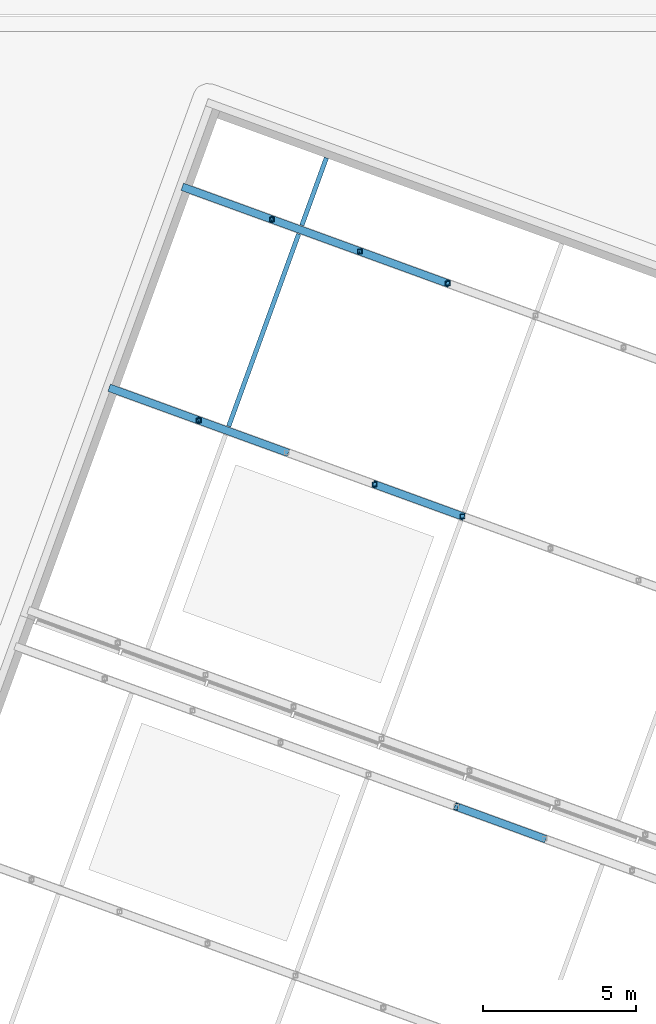
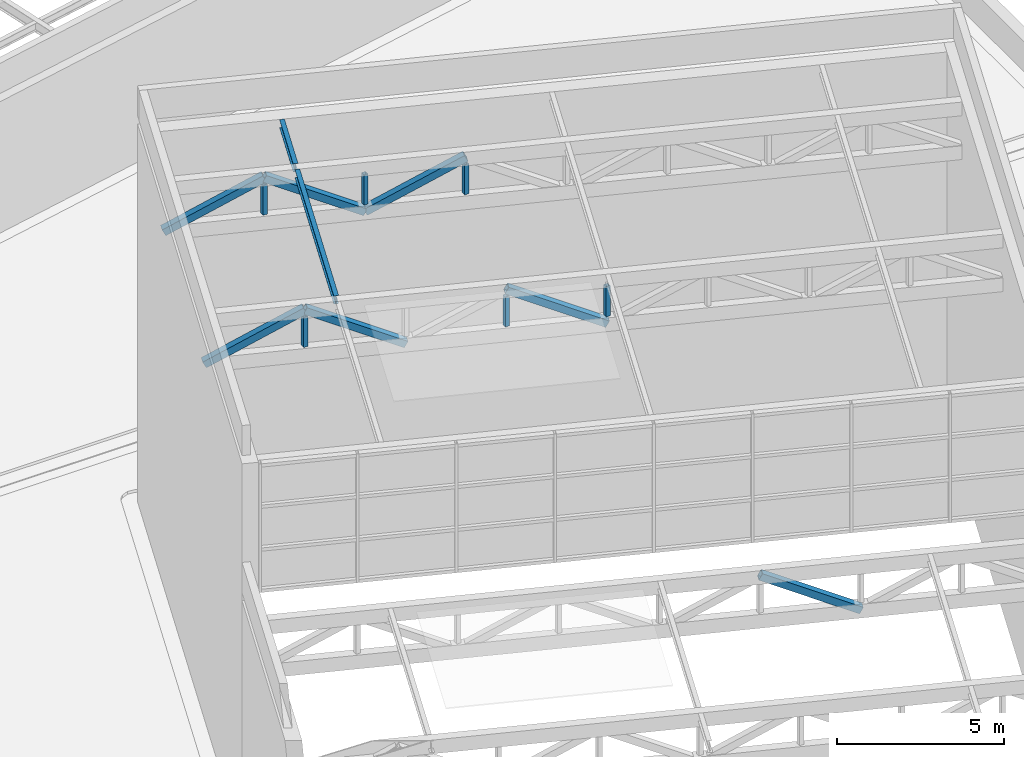
# One storey, part 39 of 72: 15 members.
"""IFC4 building model written with IfcOpenShell, lengths in metres."""

from ifc_helpers import new_model, si_unit, direction, frame, origin, origin_2d, place, context, subcontext, project, spatial, hollow_rectangle, i_section, extrude, material, material_profile, profile_set, type_object, element, save


model = new_model("IFC4")

# Units and contexts
model_context = context("Model", 3, precision=1e-05, world=origin(), true_north=direction((0.0, 1.0)))
body_context = subcontext(model_context, "Body", "Model", "MODEL_VIEW")
ifc_project = project(units=[si_unit("LENGTHUNIT", "METRE"), si_unit("AREAUNIT", "SQUARE_METRE"), si_unit("VOLUMEUNIT", "CUBIC_METRE"), si_unit("PLANEANGLEUNIT", "RADIAN"), si_unit("MASSUNIT", "GRAM", prefix="KILO")], contexts=[model_context])

# Site, building, storey
site_placement = place(None, origin())
site = spatial("IfcSite", under=ifc_project, at=site_placement, CompositionType="ELEMENT")
building_placement = place(site_placement, origin())
building = spatial("IfcBuilding", under=site, at=building_placement, Name="Nzadi Deep Aquarium and Research Tower", CompositionType="ELEMENT")
storey_placement = place(building_placement, frame((0.0, 0.0, 31.89990234375)))
storey = spatial("IfcBuildingStorey", under=building, at=storey_placement, Name="L05", CompositionType="ELEMENT", Elevation=31.89990234375)

# Members
ifc_material_1 = material(Name="Steel S355", Category="steel")
ifc_material_profile_1 = material_profile(ifc_material_1, i_section(OverallWidth=0.14990234375, OverallDepth=0.300048828125, WebThickness=0.007080078125, FlangeThickness=0.0107421875, FilletRadius=0.014892578125, at=origin_2d()))
ifc_profile_set_1 = profile_set([ifc_material_profile_1], Name="Steel S355")
member_type_1 = type_object("IfcMemberType", Name="IPE 300", PredefinedType="PURLIN", material=ifc_profile_set_1)
member_1_placement = place(storey_placement, frame((23.882080078125, 80.6630859375, 13.650146484375), z_axis=(0.342018071111, 0.939693375008, 0.0), x_axis=(-0.939693375008, 0.342018071111, 0.0)))
element("IfcMember", 1, at=member_1_placement, inside=storey, type_object=member_type_1, Name="MB-PR-R2-PU1-2", PredefinedType="PURLIN", context=body_context, shape_type="SweptSolid", body=[
    extrude(i_section(OverallWidth=0.14990234375, OverallDepth=0.300048828125, WebThickness=0.007080078125, FlangeThickness=0.0107421875, FilletRadius=0.014892578125, at=origin_2d()), origin(), (0.0, 0.0, 1.0), 6.699951171875),
])
member_2_placement = place(storey_placement, frame((26.276123046875, 87.240966796875, 13.650146484375), z_axis=(0.342009981554, 0.939696319306, 0.0), x_axis=(-0.939696319306, 0.342009981554, 0.0)))
element("IfcMember", 2, at=member_2_placement, inside=storey, type_object=member_type_1, Name="MB-PR-R2-PU1-3", PredefinedType="PURLIN", context=body_context, shape_type="SweptSolid", body=[
    extrude(i_section(OverallWidth=0.14990234375, OverallDepth=0.300048828125, WebThickness=0.007080078125, FlangeThickness=0.0107421875, FilletRadius=0.014892578125, at=origin_2d()), origin(), (0.0, 0.0, 1.0), 2.349853515625),
])
ifc_material_2 = material(Name="Steel S355", Category="steel")
ifc_material_profile_2 = material_profile(ifc_material_2, hollow_rectangle(XDim=0.14990234375, YDim=0.14990234375, WallThickness=0.008056640625, at=origin_2d()))
ifc_profile_set_2 = profile_set([ifc_material_profile_2], Name="Steel S355")
member_type_2 = type_object("IfcMemberType", Name="RHS 150x150x8 post 2", PredefinedType="POST", material=ifc_profile_set_2)
for number, where, z_axis, x_axis, name in (
    (3, (22.90283203125, 80.85986328125, 12.2001953125), (0.0, 0.0, 1.0), (1.0, 0.0, 0.0), "MB-PR-R2-T2-V1"),
    (4, (28.658447265625, 78.764892578125, 12.2001953125), (0.0, 0.0, 1.0), (1.0, 0.0, 0.0), "MB-PR-R2-T2-V3"),
    (5, (31.5361328125, 77.717529296875, 12.2001953125), (0.0, 0.0, 1.0), (1.0, 0.0, 0.0), "MB-PR-R2-T2-V4"),
    (6, (25.296875, 87.437744140625, 12.2001953125), (0.0, 0.0, 1.0), (1.0, 0.0, 0.0), "MB-PR-R2-T3-V1"),
    (7, (28.1748046875, 86.390380859375, 12.2001953125), (0.0, 0.0, 1.0), (1.0, 0.0, 0.0), "MB-PR-R2-T3-V2"),
    (8, (31.052490234375, 85.3427734375, 12.2001953125), (0.0, 0.0, 1.0), (1.0, 0.0, 0.0), "MB-PR-R2-T3-V3"),
):
    element("IfcMember", number, at=place(storey_placement, frame(where, z_axis=z_axis, x_axis=x_axis)), inside=storey, type_object=member_type_2, Name=name, PredefinedType="POST", context=body_context, shape_type="SweptSolid", body=[
        extrude(hollow_rectangle(XDim=0.14990234375, YDim=0.14990234375, WallThickness=0.008056640625, at=origin_2d()), origin(), (0.0, 0.0, 1.0), 1.099853515625),
    ])
ifc_material_3 = material(Name="Steel S355", Category="steel")
ifc_material_profile_3 = material_profile(ifc_material_3, hollow_rectangle(XDim=0.25, YDim=0.25, WallThickness=0.01611328125, at=origin_2d()))
ifc_profile_set_3 = profile_set([ifc_material_profile_3], Name="Steel S355")
member_type_3 = type_object("IfcMemberType", Name="RHS 250x250x16 brace", PredefinedType="BRACE", material=ifc_profile_set_3)
for number, where, z_axis, x_axis, name in (
    (9, (31.335693359375, 68.212890625, 8.550048828125), (0.832907091186, -0.3031193944, -0.463016641376), (0.341986276019, 0.939704946786, 0.0), "MB-PR-R1-T3-D6"),
    (10, (20.02490234375, 81.9072265625, 11.9501953125), (0.832907091186, -0.3031193944, 0.463016641376), (0.341986276019, 0.939704946786, 0.0), "MB-PR-R2-T2-D1"),
):
    element("IfcMember", number, at=place(storey_placement, frame(where, z_axis=z_axis, x_axis=x_axis)), inside=storey, type_object=member_type_3, Name=name, PredefinedType="BRACE", context=body_context, shape_type="SweptSolid", body=[
        extrude(hollow_rectangle(XDim=0.25, YDim=0.25, WallThickness=0.01611328125, at=origin_2d()), origin(), (0.0, 0.0, 1.0), 3.455322265625),
    ])
for number, where, z_axis, x_axis, name in (
    (11, (22.90283203125, 80.85986328125, 13.550048828125), (0.832885449393, -0.303137234062, -0.463043891564), (0.342011896186, 0.939695622458, 0.0), "MB-PR-R2-T2-D2"),
    (12, (28.658447265625, 78.764892578125, 13.550048828125), (0.832885449393, -0.303137234062, -0.463043891564), (0.342011896186, 0.939695622458, 0.0), "MB-PR-R2-T2-D4"),
):
    element("IfcMember", number, at=place(storey_placement, frame(where, z_axis=z_axis, x_axis=x_axis)), inside=storey, type_object=member_type_3, Name=name, PredefinedType="BRACE", context=body_context, shape_type="SweptSolid", body=[
        extrude(hollow_rectangle(XDim=0.25, YDim=0.25, WallThickness=0.01611328125, at=origin_2d()), origin(), (0.0, 0.0, 1.0), 3.455078125),
    ])
for number, where, z_axis, x_axis, name in (
    (13, (22.4189453125, 88.485107421875, 11.9501953125), (0.832907091186, -0.3031193944, 0.463016641376), (0.341986276019, 0.939704946786, 0.0), "MB-PR-R2-T3-D1"),
    (14, (25.296875, 87.437744140625, 13.550048828125), (0.832907091186, -0.3031193944, -0.463016641376), (0.341986276019, 0.939704946786, 0.0), "MB-PR-R2-T3-D2"),
):
    element("IfcMember", number, at=place(storey_placement, frame(where, z_axis=z_axis, x_axis=x_axis)), inside=storey, type_object=member_type_3, Name=name, PredefinedType="BRACE", context=body_context, shape_type="SweptSolid", body=[
        extrude(hollow_rectangle(XDim=0.25, YDim=0.25, WallThickness=0.01611328125, at=origin_2d()), origin(), (0.0, 0.0, 1.0), 3.455322265625),
    ])
member_3_placement = place(storey_placement, frame((28.1748046875, 86.390380859375, 11.9501953125), z_axis=(0.832867607406, -0.303201400134, 0.463033972286), x_axis=(0.342082290984, 0.939669998561, 0.0)))
element("IfcMember", 15, at=member_3_placement, inside=storey, type_object=member_type_3, Name="MB-PR-R2-T3-D3", PredefinedType="BRACE", context=body_context, shape_type="SweptSolid", body=[
    extrude(hollow_rectangle(XDim=0.25, YDim=0.25, WallThickness=0.01611328125, at=origin_2d()), origin(), (0.0, 0.0, 1.0), 3.455078125),
])

save(model, "model.ifc")
